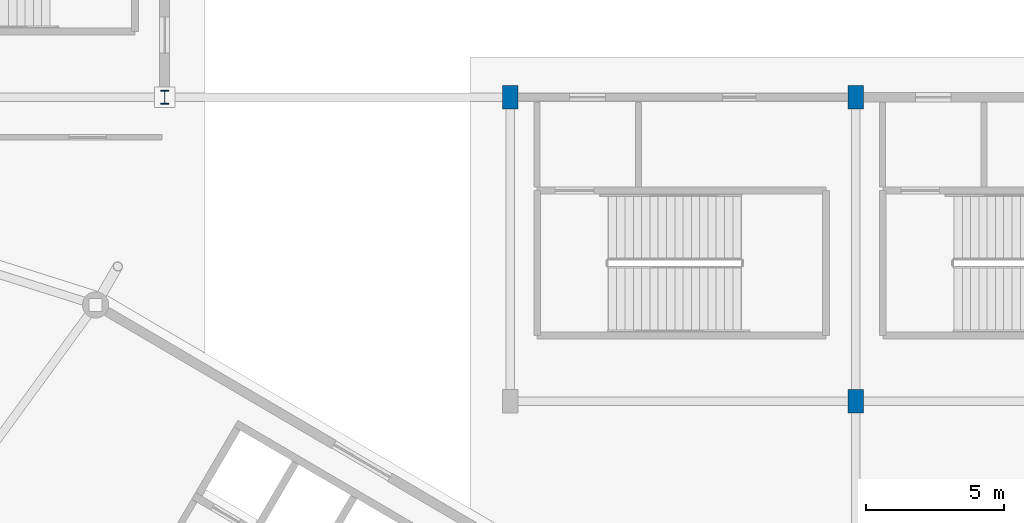
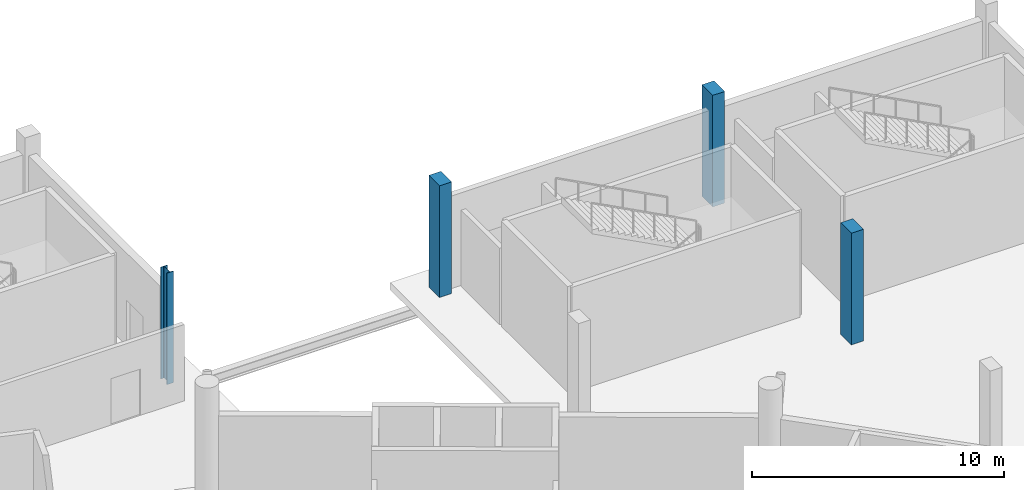
# One storey, part 21 of 82: 4 columns.
"""IFC4 building model written with IfcOpenShell, lengths in metres."""

from ifc_helpers import new_model, si_unit, direction, frame, origin, origin_2d, place, context, subcontext, project, spatial, rectangle, i_section, extrude, material, material_profile, profile_set, type_object, element, save


model = new_model("IFC4")

# Units and contexts
model_context = context("Model", 3, precision=1e-05, world=origin(), true_north=direction((0.0, 1.0)))
body_context = subcontext(model_context, "Body", "Model", "MODEL_VIEW")
ifc_project = project(units=[si_unit("LENGTHUNIT", "METRE"), si_unit("AREAUNIT", "SQUARE_METRE"), si_unit("VOLUMEUNIT", "CUBIC_METRE"), si_unit("PLANEANGLEUNIT", "RADIAN"), si_unit("MASSUNIT", "GRAM", prefix="KILO")], contexts=[model_context])

# Site, building, storey
site_placement = place(None, origin())
site = spatial("IfcSite", under=ifc_project, at=site_placement, CompositionType="ELEMENT")
building_placement = place(site_placement, origin())
building = spatial("IfcBuilding", under=site, at=building_placement, Name="Zlatoyarsky Gate Stadium", CompositionType="ELEMENT")
storey_placement = place(building_placement, origin())
storey = spatial("IfcBuildingStorey", under=building, at=storey_placement, Name="L00", CompositionType="ELEMENT", Elevation=0.0)

# Columns
ifc_material_1 = material(Name="Concrete C40/50", Category="concrete")
ifc_material_profile_1 = material_profile(ifc_material_1, rectangle(XDim=0.550048828125, YDim=0.85009765625, at=origin_2d()), Name="RC PILASTER 550X850")
ifc_profile_set_1 = profile_set([ifc_material_profile_1], Name="Concrete C40/50")
column_type_1 = type_object("IfcColumnType", Name="CONCRETE PORTAL PILASTER 550X850", PredefinedType="PILASTER", material=ifc_profile_set_1)
for number, where, z_axis, x_axis, name in (
    (1, (172.5, 149.0, 0.0), (0.0, 0.0, 1.0), (1.0, 0.0, 0.0), "Column RC-PL85 WG-15-P on L00"),
    (2, (185.0, 138.0, 0.0), (0.0, 0.0, 1.0), (1.0, 0.0, 0.0), "Column RC-PL85 WG-16-N on L00"),
    (3, (185.0, 149.0, 0.0), (0.0, 0.0, 1.0), (1.0, 0.0, 0.0), "Column RC-PL85 WG-16-P on L00"),
):
    element("IfcColumn", number, at=place(storey_placement, frame(where, z_axis=z_axis, x_axis=x_axis)), inside=storey, type_object=column_type_1, Name=name, PredefinedType="PILASTER", context=body_context, shape_type="SweptSolid", body=[
        extrude(rectangle(XDim=0.550048828125, YDim=0.85009765625, at=origin_2d()), origin(), (0.0, 0.0, 1.0), 5.39990234375),
    ])
ifc_material_2 = material(Name="Steel S355", Category="steel")
ifc_material_profile_2 = material_profile(ifc_material_2, i_section(OverallWidth=0.300048828125, OverallDepth=0.5, WebThickness=0.014404296875, FlangeThickness=0.028076171875, FilletRadius=0.027099609375, at=origin_2d()), Name="HEB 500")
ifc_profile_set_2 = profile_set([ifc_material_profile_2], Name="Steel S355")
column_type_2 = type_object("IfcColumnType", Name="STEEL COLUMN HEB 500", PredefinedType="COLUMN", material=ifc_profile_set_2)
column_placement = place(storey_placement, frame((160.0, 149.0, 0.0), z_axis=(0.0, 0.0, 1.0), x_axis=(1.0, 0.0, 0.0)))
element("IfcColumn", 4, at=column_placement, inside=storey, type_object=column_type_2, Name="Column ST-C500 WG-14-P on L00", PredefinedType="COLUMN", context=body_context, shape_type="SweptSolid", body=[
    extrude(i_section(OverallWidth=0.300048828125, OverallDepth=0.5, WebThickness=0.014404296875, FlangeThickness=0.028076171875, FilletRadius=0.027099609375, at=origin_2d()), origin(), (0.0, 0.0, 1.0), 5.39990234375),
])

save(model, "model.ifc")
